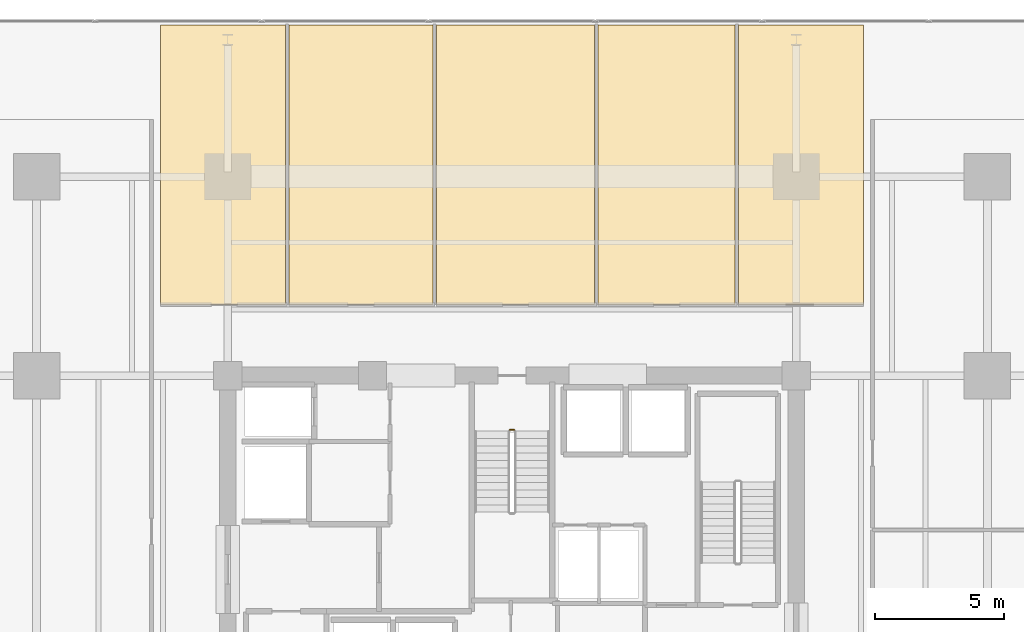
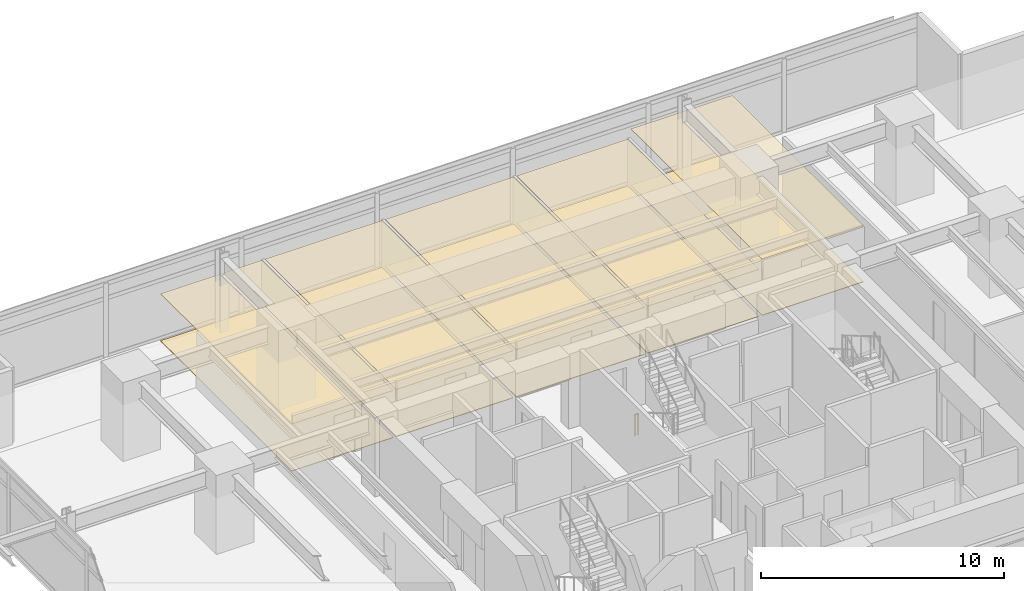
# One storey, part 23 of 24: 10 coverings, 1 railing.
"""IFC4 building model written with IfcOpenShell, lengths in metres."""

from ifc_helpers import new_model, si_unit, direction, frame, origin, origin_2d, place, context, subcontext, project, spatial, polyline, circle, outline, extrude, material, layer, layer_set, type_object, element, save


model = new_model("IFC4")

# Units and contexts
model_context = context("Model", 3, precision=1e-05, world=origin(), true_north=direction((0.0, 1.0)))
body_context = subcontext(model_context, "Body", "Model", "MODEL_VIEW")
ifc_project = project(units=[si_unit("LENGTHUNIT", "METRE"), si_unit("AREAUNIT", "SQUARE_METRE"), si_unit("VOLUMEUNIT", "CUBIC_METRE"), si_unit("PLANEANGLEUNIT", "RADIAN"), si_unit("MASSUNIT", "GRAM", prefix="KILO")], contexts=[model_context])

# Site, building, storey
site_placement = place(None, origin())
site = spatial("IfcSite", under=ifc_project, at=site_placement, CompositionType="ELEMENT")
building_placement = place(site_placement, origin())
building = spatial("IfcBuilding", under=site, at=building_placement, Name="Kovane Verandah Tower", CompositionType="ELEMENT")
storey_placement = place(building_placement, frame((0.0, 0.0, 95.60009765625)))
storey = spatial("IfcBuildingStorey", under=building, at=storey_placement, Name="L22", CompositionType="ELEMENT", Elevation=95.60009765625)

# Coverings
ifc_material_1 = material(Name="Perforated Acoustic Mineral-Fibre Ceiling Tile", Category="gypsum")
ifc_layer_1 = layer(ifc_material_1, 0.02490234375)
ifc_layer_set_1 = layer_set([ifc_layer_1], Name="Perforated Acoustic Mineral-Fibre Ceiling Tile")
covering_type_1 = type_object("IfcCoveringType", Name="CV-CEIL-25", PredefinedType="CEILING", material=ifc_layer_set_1)
covering_1_placement = place(storey_placement, frame((0.0, 0.0, 2.364990234375)))
element("IfcCovering", 1, at=covering_1_placement, inside=storey, type_object=covering_type_1, Name="L22 Breakout Pantry N1 Acoustic Ceiling", PredefinedType="CEILING", context=body_context, shape_type="SweptSolid", body=[
    extrude(outline(polyline([(26.39990234375, 39.25), (31.22607421875, 39.25), (31.22607421875, 50.060791015625), (26.39990234375, 50.060791015625), (26.39990234375, 39.25)])), origin(), (0.0, 0.0, 1.0), 0.02490234375),
])
covering_2_placement = place(storey_placement, frame((0.0, 0.0, 2.364990234375)))
element("IfcCovering", 2, at=covering_2_placement, inside=storey, type_object=covering_type_1, Name="L22 Collaboration Hub N2 Acoustic Ceiling", PredefinedType="CEILING", context=body_context, shape_type="SweptSolid", body=[
    extrude(outline(polyline([(31.365966796875, 39.25), (36.93798828125, 39.25), (36.93798828125, 50.060791015625), (31.365966796875, 50.060791015625), (31.365966796875, 39.25)])), origin(), (0.0, 0.0, 1.0), 0.02490234375),
])
covering_3_placement = place(storey_placement, frame((0.0, 0.0, 2.364990234375)))
element("IfcCovering", 3, at=covering_3_placement, inside=storey, type_object=covering_type_1, Name="L22 Document and Print Room N3 Acoustic Ceiling", PredefinedType="CEILING", context=body_context, shape_type="SweptSolid", body=[
    extrude(outline(polyline([(37.077880859375, 39.25), (43.194091796875, 39.25), (43.194091796875, 50.060791015625), (37.077880859375, 50.060791015625), (37.077880859375, 39.25)])), origin(), (0.0, 0.0, 1.0), 0.02490234375),
])
covering_4_placement = place(storey_placement, frame((0.0, 0.0, 2.364990234375)))
element("IfcCovering", 4, at=covering_4_placement, inside=storey, type_object=covering_type_1, Name="L22 Open Plan Office N4 Acoustic Ceiling", PredefinedType="CEILING", context=body_context, shape_type="SweptSolid", body=[
    extrude(outline(polyline([(43.333984375, 39.25), (48.634033203125, 39.25), (48.634033203125, 50.060791015625), (43.333984375, 50.060791015625), (43.333984375, 39.25)])), origin(), (0.0, 0.0, 1.0), 0.02490234375),
])
covering_5_placement = place(storey_placement, frame((0.0, 0.0, 2.824951171875)))
element("IfcCovering", 5, at=covering_5_placement, inside=storey, type_object=covering_type_1, Name="L22 Executive Office N5 Acoustic Ceiling", PredefinedType="CEILING", context=body_context, shape_type="SweptSolid", body=[
    extrude(outline(polyline([(48.77392578125, 39.25), (53.60009765625, 39.25), (53.60009765625, 50.060791015625), (48.77392578125, 50.060791015625), (48.77392578125, 39.25)])), origin(), (0.0, 0.0, 1.0), 0.02490234375),
])
ifc_material_2 = material(Name="Polished Terrazzo and Raised-Access Carpet Tile Finish", Category="concrete")
ifc_layer_2 = layer(ifc_material_2, 0.030029296875)
ifc_layer_set_2 = layer_set([ifc_layer_2], Name="Polished Terrazzo and Raised-Access Carpet Tile Finish")
covering_type_2 = type_object("IfcCoveringType", Name="CV-FLOR-30", PredefinedType="FLOORING", material=ifc_layer_set_2)
covering_6_placement = place(storey_placement, origin())
element("IfcCovering", 6, at=covering_6_placement, inside=storey, type_object=covering_type_2, Name="L22 Breakout Pantry N1 Floor Finish", PredefinedType="FLOORING", context=body_context, shape_type="SweptSolid", body=[
    extrude(outline(polyline([(26.39990234375, 39.25), (31.22607421875, 39.25), (31.22607421875, 50.060791015625), (26.39990234375, 50.060791015625), (26.39990234375, 39.25)])), origin(), (0.0, 0.0, 1.0), 0.02978515625),
])
covering_7_placement = place(storey_placement, origin())
element("IfcCovering", 7, at=covering_7_placement, inside=storey, type_object=covering_type_2, Name="L22 Collaboration Hub N2 Floor Finish", PredefinedType="FLOORING", context=body_context, shape_type="SweptSolid", body=[
    extrude(outline(polyline([(31.365966796875, 39.25), (36.93798828125, 39.25), (36.93798828125, 50.060791015625), (31.365966796875, 50.060791015625), (31.365966796875, 39.25)])), origin(), (0.0, 0.0, 1.0), 0.02978515625),
])
covering_8_placement = place(storey_placement, origin())
element("IfcCovering", 8, at=covering_8_placement, inside=storey, type_object=covering_type_2, Name="L22 Document and Print Room N3 Floor Finish", PredefinedType="FLOORING", context=body_context, shape_type="SweptSolid", body=[
    extrude(outline(polyline([(37.077880859375, 39.25), (43.194091796875, 39.25), (43.194091796875, 50.060791015625), (37.077880859375, 50.060791015625), (37.077880859375, 39.25)])), origin(), (0.0, 0.0, 1.0), 0.02978515625),
])
covering_9_placement = place(storey_placement, origin())
element("IfcCovering", 9, at=covering_9_placement, inside=storey, type_object=covering_type_2, Name="L22 Open Plan Office N4 Floor Finish", PredefinedType="FLOORING", context=body_context, shape_type="SweptSolid", body=[
    extrude(outline(polyline([(43.333984375, 39.25), (48.634033203125, 39.25), (48.634033203125, 50.060791015625), (43.333984375, 50.060791015625), (43.333984375, 39.25)])), origin(), (0.0, 0.0, 1.0), 0.02978515625),
])
covering_10_placement = place(storey_placement, origin())
element("IfcCovering", 10, at=covering_10_placement, inside=storey, type_object=covering_type_2, Name="L22 Executive Office N5 Floor Finish", PredefinedType="FLOORING", context=body_context, shape_type="SweptSolid", body=[
    extrude(outline(polyline([(48.77392578125, 39.25), (53.60009765625, 39.25), (53.60009765625, 50.060791015625), (48.77392578125, 50.060791015625), (48.77392578125, 39.25)])), origin(), (0.0, 0.0, 1.0), 0.02978515625),
])

# Railing
ifc_material_3 = material(Name="Painted Steel Stairwell Guardrail", Category="steel")
railing_type = type_object("IfcRailingType", Name="RL-STGUARD-1120", PredefinedType="GUARDRAIL", material=ifc_material_3)
railing_placement = place(storey_placement, frame((39.919921875, 34.39990234375, 0.0)))
element("IfcRailing", 11, at=railing_placement, inside=storey, type_object=railing_type, Name="L22 ST-03 stair guard 4", PredefinedType="GUARDRAIL", context=body_context, shape_type="SweptSolid", body=[
    extrude(circle(Radius=0.02392578125, at=origin_2d()), frame((0.0, 0.0, 1.076171875), z_axis=(1.0, 0.0, 0.0), x_axis=(0.0, 1.0, 0.0)), (0.0, 0.0, 1.0), 0.16015625),
    extrude(circle(Radius=0.02099609375, at=origin_2d()), origin(), (0.0, 0.0, 1.0), 1.052001953125),
    extrude(circle(Radius=0.02099609375, at=origin_2d()), frame((0.16015625, 0.0, 0.0)), (0.0, 0.0, 1.0), 1.052001953125),
])

save(model, "model.ifc")
